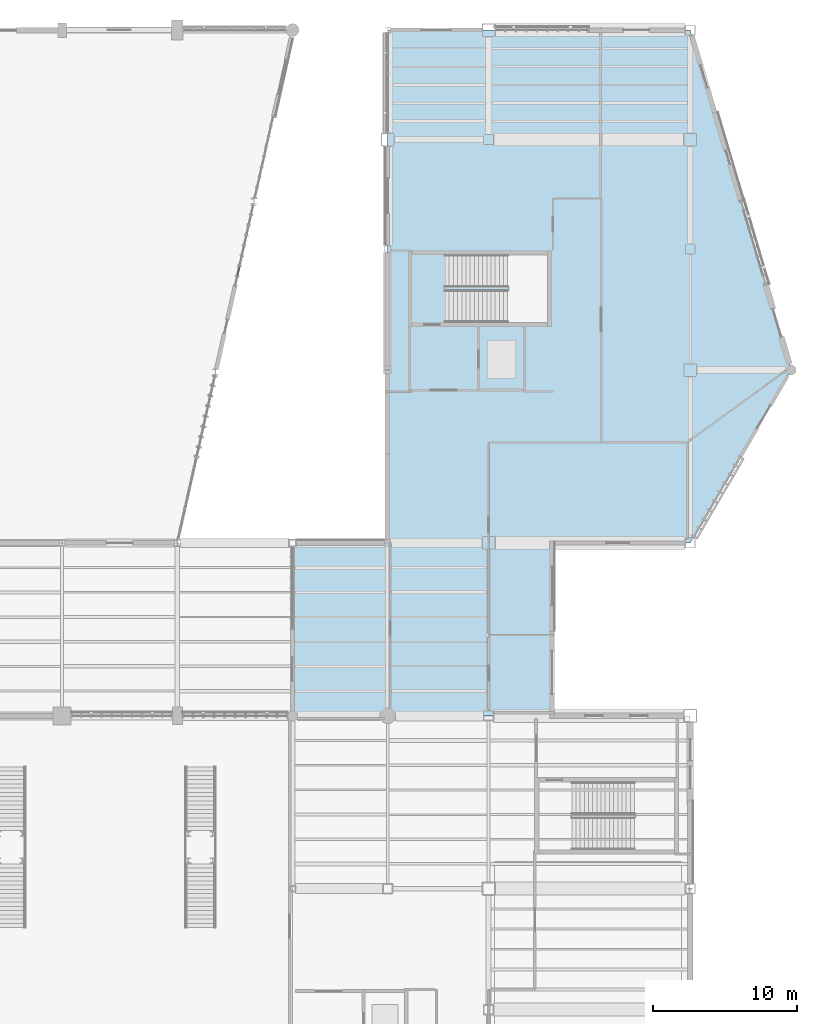
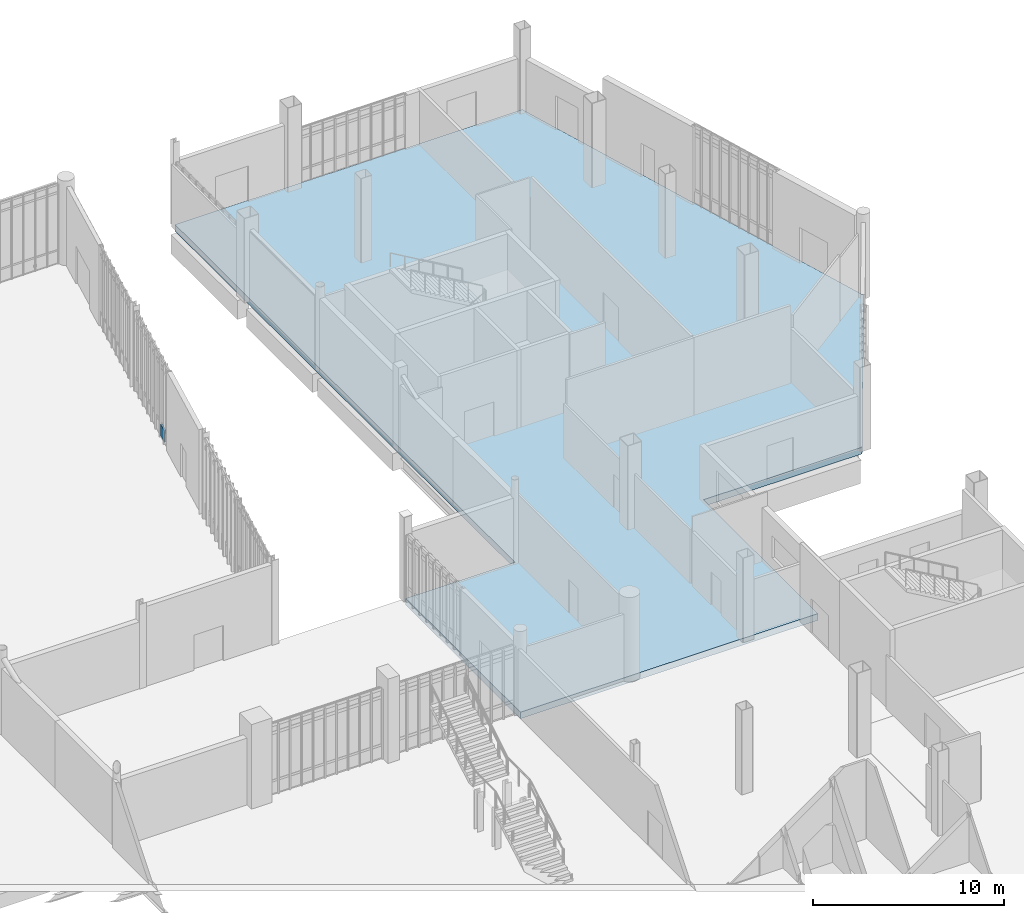
# One storey, part 67 of 111: 1 plate, 1 slab, 1 element without a shape of its own.
"""IFC4 building model written with IfcOpenShell, lengths in metres."""

from ifc_helpers import new_model, si_unit, direction, frame, origin, origin_2d, place, context, subcontext, project, spatial, polyline, rectangle, outline, extrude, material, layer, layer_set, type_object, element, aggregate, save


model = new_model("IFC4")

# Units and contexts
model_context = context("Model", 3, precision=1e-05, world=origin(), true_north=direction((0.0, 1.0)))
body_context = subcontext(model_context, "Body", "Model", "MODEL_VIEW")
ifc_project = project(units=[si_unit("LENGTHUNIT", "METRE"), si_unit("AREAUNIT", "SQUARE_METRE"), si_unit("VOLUMEUNIT", "CUBIC_METRE"), si_unit("PLANEANGLEUNIT", "RADIAN"), si_unit("MASSUNIT", "GRAM", prefix="KILO")], contexts=[model_context])

# Site, building, storey
site_placement = place(None, origin())
site = spatial("IfcSite", under=ifc_project, at=site_placement, CompositionType="ELEMENT")
building_placement = place(site_placement, origin())
building = spatial("IfcBuilding", under=site, at=building_placement, Name="Larkvane Passage Sports Hall", CompositionType="ELEMENT")
storey_placement = place(building_placement, origin())
storey = spatial("IfcBuildingStorey", under=building, at=storey_placement, Name="L00", CompositionType="ELEMENT", Elevation=0.0)

# Curtain wall, plate
ifc_material_1 = material(Name="Thermally broken aluminium and low-E glazing", Category="aluminium")
curtain_wall_type = type_object("IfcCurtainWallType", Name="CW-STICK-FOYER", PredefinedType="USERDEFINED", material=ifc_material_1)
curtain_wall_placement = place(storey_placement, origin())
curtain_wall = element("IfcCurtainWall", 1, at=curtain_wall_placement, inside=storey, type_object=curtain_wall_type, Name="Curtain wall CW5-L00-014", ObjectType="STICK CURTAIN WALL", PredefinedType="USERDEFINED")
ifc_material_2 = material(Name="Fire-stopped shadow-box spandrel panel")
ifc_layer_1 = layer(ifc_material_2, 0.10498046875)
ifc_layer_set_1 = layer_set([ifc_layer_1], Name="Fire-stopped shadow-box spandrel panel")
plate_type = type_object("IfcPlateType", Name="CWP-SPD-105", PredefinedType="CURTAIN_PANEL", material=ifc_layer_set_1)
plate_placement = place(storey_placement, frame((114.240234375, 82.46875, 0.080078125), z_axis=(0.0, 0.0, 1.0), x_axis=(-0.219244189156, -0.975670018767, 0.0)))
plate = element("IfcPlate", 2, at=plate_placement, type_object=plate_type, Name="CW-03 panel 7.1", PredefinedType="CURTAIN_PANEL", context=body_context, shape_type="SweptSolid", body=[
    extrude(rectangle(XDim=0.650390625, YDim=0.10498046875, at=origin_2d()), origin(), (0.0, 0.0, 1.0), 0.72998046875),
])
aggregate(curtain_wall, [plate])

# Slab
ifc_material_3 = material(Name="Concrete C50/60", Category="concrete")
ifc_layer_2 = layer(ifc_material_3, 0.419921875)
ifc_layer_set_2 = layer_set([ifc_layer_2], Name="Concrete C50/60")
slab_type = type_object("IfcSlabType", Name="SLB-FLR-350", PredefinedType="FLOOR", material=ifc_layer_set_2)
slab_placement = place(storey_placement, frame((0.0, 0.0, -0.419921875)))
element("IfcSlab", 3, at=slab_placement, inside=storey, type_object=slab_type, Name="Structural floor slab SLAB-L00-V4", PredefinedType="FLOOR", context=body_context, shape_type="SweptSolid", body=[
    extrude(outline(polyline([(118.0, 51.60009765625), (136.0, 51.60009765625), (136.0, 63.60009765625), (145.60009765625, 63.60009765625), (152.60009765625, 75.60009765625), (145.60009765625, 99.199951171875), (124.60009765625, 99.199951171875), (124.60009765625, 63.60009765625), (118.0, 63.60009765625), (118.0, 51.60009765625)])), origin(), (0.0, 0.0, 1.0), 0.419921875),
])

save(model, "model.ifc")
